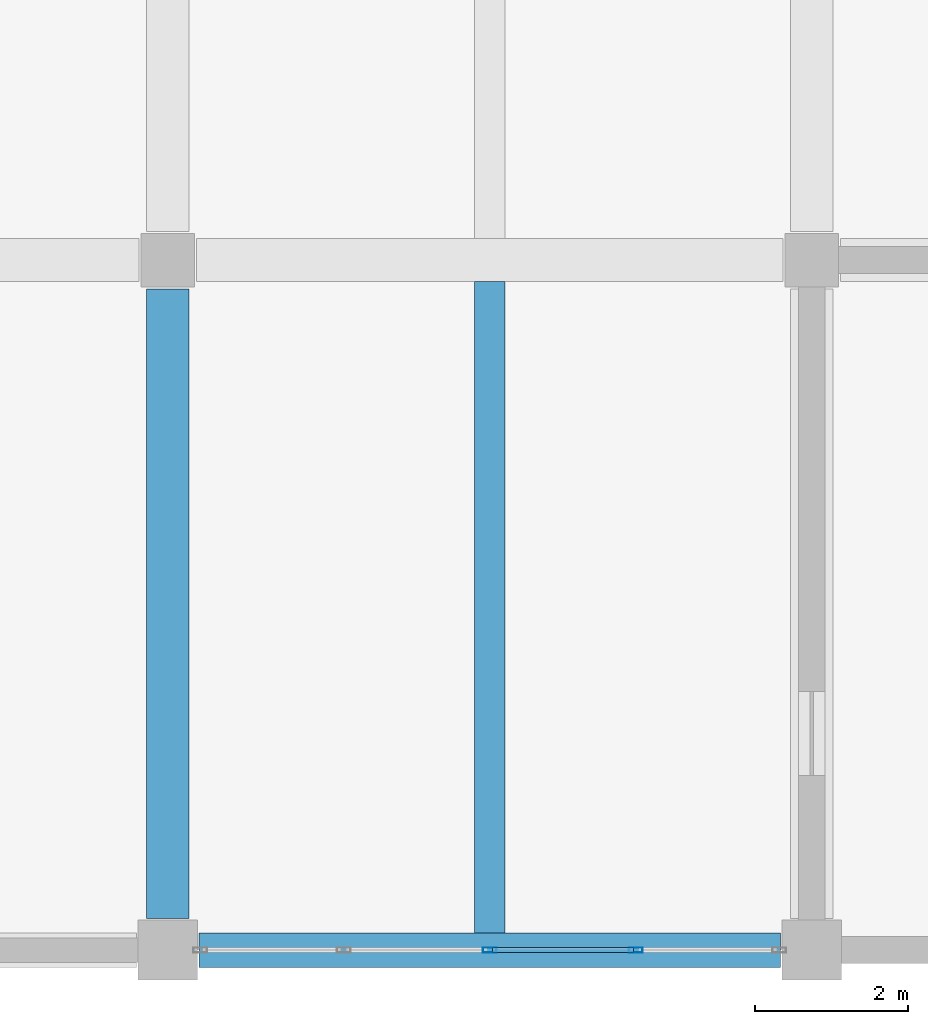
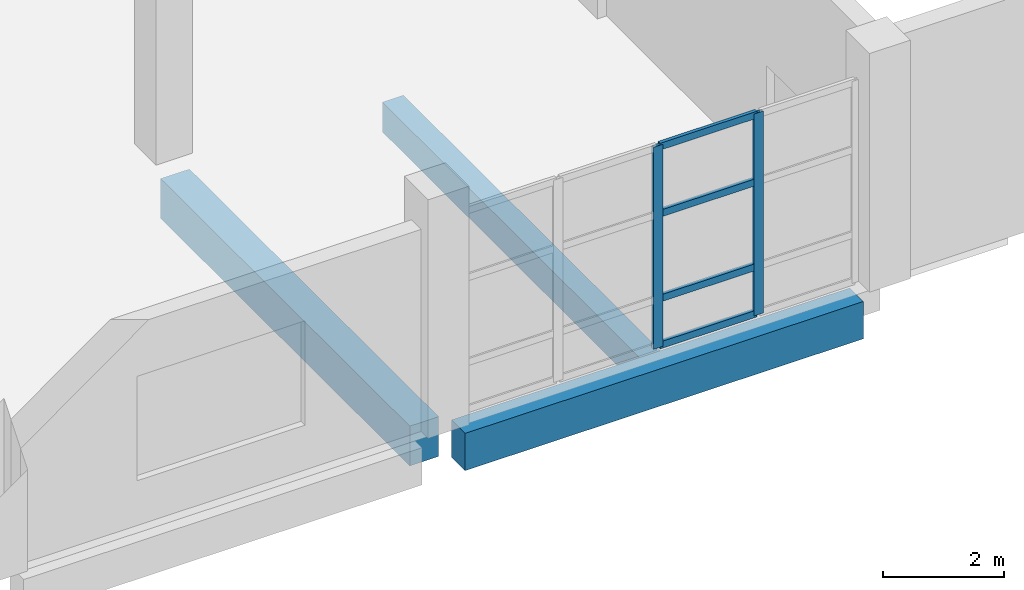
# One storey, part 7 of 91: 6 members, 3 beams, 1 element without a shape of its own.
"""IFC4 building model written with IfcOpenShell, lengths in metres."""

from ifc_helpers import new_model, si_unit, direction, frame, origin, origin_2d, place, context, subcontext, project, spatial, rectangle, hollow_rectangle, extrude, material, material_profile, profile_set, type_object, element, aggregate, save


model = new_model("IFC4")

# Units and contexts
model_context = context("Model", 3, precision=1e-05, world=origin(), true_north=direction((0.0, 1.0)))
body_context = subcontext(model_context, "Body", "Model", "MODEL_VIEW")
ifc_project = project(units=[si_unit("LENGTHUNIT", "METRE"), si_unit("AREAUNIT", "SQUARE_METRE"), si_unit("VOLUMEUNIT", "CUBIC_METRE"), si_unit("PLANEANGLEUNIT", "RADIAN"), si_unit("MASSUNIT", "GRAM", prefix="KILO")], contexts=[model_context])

# Site, building, storey
site_placement = place(None, origin())
site = spatial("IfcSite", under=ifc_project, at=site_placement, CompositionType="ELEMENT")
building_placement = place(site_placement, origin())
building = spatial("IfcBuilding", under=site, at=building_placement, Name="Pellamere Symphony Hall", CompositionType="ELEMENT")
storey_placement = place(building_placement, frame((0.0, 0.0, 5.39990234375)))
storey = spatial("IfcBuildingStorey", under=building, at=storey_placement, Name="L01", CompositionType="ELEMENT", Elevation=5.39990234375)

# Curtain wall, members
ifc_material_1 = material(Name="Thermally Broken Anodised Aluminium 6063-T6 Curtain Wall", Category="aluminium")
curtain_wall_type = type_object("IfcCurtainWallType", Name="Curtain Wall CW-04 (Chamber Music Lobby Curtain Wall)", PredefinedType="NOTDEFINED", material=ifc_material_1)
curtain_wall_placement = place(storey_placement, origin())
curtain_wall = element("IfcCurtainWall", 1, at=curtain_wall_placement, inside=storey, type_object=curtain_wall_type, Name="Chamber Lobby South Curtain Wall (L01 Bay 2)", PredefinedType="NOTDEFINED")
ifc_material_2 = material(Name="Anodised Architectural Aluminium 6063-T6", Category="aluminium")
ifc_material_profile_1 = material_profile(ifc_material_2, hollow_rectangle(XDim=0.06494140625, YDim=0.179931640625, WallThickness=0.00390625, at=origin_2d()), Name="ALU-M65X180X4")
ifc_profile_set_1 = profile_set([ifc_material_profile_1], Name="Anodised Architectural Aluminium 6063-T6")
member_type_1 = type_object("IfcMemberType", Name="Curtain Wall Mullion ML-02 ALU-M65X180X4", PredefinedType="MULLION", material=ifc_profile_set_1)
member_1_placement = place(storey_placement, frame((29.39990234375, 0.0, 0.0), z_axis=(0.0, 0.0, 1.0), x_axis=(0.0, 1.0, 0.0)))
member_1 = element("IfcMember", 2, at=member_1_placement, type_object=member_type_1, Name="CW4-115 crystal mullion 3", PredefinedType="MULLION", context=body_context, shape_type="SweptSolid", body=[
    extrude(hollow_rectangle(XDim=0.06494140625, YDim=0.179931640625, WallThickness=0.00390625, at=origin_2d()), origin(), (0.0, 0.0, 1.0), 4.064208984375),
])
member_2_placement = place(storey_placement, frame((31.304931640625, 0.0, 0.0), z_axis=(0.0, 0.0, 1.0), x_axis=(0.0, 1.0, 0.0)))
member_2 = element("IfcMember", 3, at=member_2_placement, type_object=member_type_1, Name="CW4-115 crystal mullion 4", PredefinedType="MULLION", context=body_context, shape_type="SweptSolid", body=[
    extrude(hollow_rectangle(XDim=0.06494140625, YDim=0.179931640625, WallThickness=0.00390625, at=origin_2d()), origin(), (0.0, 0.0, 1.0), 4.064208984375),
])
ifc_material_profile_2 = material_profile(ifc_material_2, hollow_rectangle(XDim=0.06494140625, YDim=0.139892578125, WallThickness=0.00390625, at=origin_2d()), Name="ALU-T65X140X4")
ifc_profile_set_2 = profile_set([ifc_material_profile_2], Name="Anodised Architectural Aluminium 6063-T6")
member_type_2 = type_object("IfcMemberType", Name="Curtain Wall Transom TR-02 ALU-T65X140X4", PredefinedType="USERDEFINED", material=ifc_profile_set_2)
member_3_placement = place(storey_placement, frame((29.4326171875, 0.0, 0.03271484375), z_axis=(1.0, 0.0, 0.0), x_axis=(0.0, 1.0, 0.0)))
member_3 = element("IfcMember", 4, at=member_3_placement, type_object=member_type_2, Name="CW4-115 crystal transom 3.1", ObjectType="TRANSOM", PredefinedType="USERDEFINED", context=body_context, shape_type="SweptSolid", body=[
    extrude(hollow_rectangle(XDim=0.06494140625, YDim=0.139892578125, WallThickness=0.00390625, at=origin_2d()), origin(), (0.0, 0.0, 1.0), 1.83984375),
])
member_4_placement = place(storey_placement, frame((29.4326171875, 0.0, 0.975341796875), z_axis=(1.0, 0.0, 0.0), x_axis=(0.0, 1.0, 0.0)))
member_4 = element("IfcMember", 5, at=member_4_placement, type_object=member_type_2, Name="CW4-115 crystal transom 3.2", ObjectType="TRANSOM", PredefinedType="USERDEFINED", context=body_context, shape_type="SweptSolid", body=[
    extrude(hollow_rectangle(XDim=0.06494140625, YDim=0.139892578125, WallThickness=0.00390625, at=origin_2d()), origin(), (0.0, 0.0, 1.0), 1.83984375),
])
member_5_placement = place(storey_placement, frame((29.4326171875, 0.0, 2.682373046875), z_axis=(1.0, 0.0, 0.0), x_axis=(0.0, 1.0, 0.0)))
member_5 = element("IfcMember", 6, at=member_5_placement, type_object=member_type_2, Name="CW4-115 crystal transom 3.3", ObjectType="TRANSOM", PredefinedType="USERDEFINED", context=body_context, shape_type="SweptSolid", body=[
    extrude(hollow_rectangle(XDim=0.06494140625, YDim=0.139892578125, WallThickness=0.00390625, at=origin_2d()), origin(), (0.0, 0.0, 1.0), 1.83984375),
])
member_6_placement = place(storey_placement, frame((29.4326171875, 0.0, 4.031494140625), z_axis=(1.0, 0.0, 0.0), x_axis=(0.0, 1.0, 0.0)))
member_6 = element("IfcMember", 7, at=member_6_placement, type_object=member_type_2, Name="CW4-115 crystal transom 3.4", ObjectType="TRANSOM", PredefinedType="USERDEFINED", context=body_context, shape_type="SweptSolid", body=[
    extrude(hollow_rectangle(XDim=0.06494140625, YDim=0.139892578125, WallThickness=0.00390625, at=origin_2d()), origin(), (0.0, 0.0, 1.0), 1.83984375),
])
aggregate(curtain_wall, [member_1, member_2, member_3, member_4, member_5, member_6])

# Beams
ifc_material_3 = material(Name="Concrete 40 MPa", Category="concrete")
ifc_material_profile_3 = material_profile(ifc_material_3, rectangle(XDim=0.550048828125, YDim=0.800048828125, at=origin_2d()), Name="RC 550x800")
ifc_profile_set_3 = profile_set([ifc_material_profile_3], Name="Concrete 40 MPa")
beam_type_1 = type_object("IfcBeamType", Name="RC CB-05 550x800", PredefinedType="BEAM", material=ifc_profile_set_3)
beam_1_placement = place(storey_placement, frame((25.199951171875, 0.409912109375, -0.679931640625), z_axis=(0.0, 1.0, 0.0), x_axis=(-1.0, 0.0, 0.0)))
element("IfcBeam", 8, at=beam_1_placement, inside=storey, type_object=beam_type_1, Name="Girder CB-05-Y0730 (L01)", PredefinedType="BEAM", context=body_context, shape_type="SweptSolid", body=[
    extrude(rectangle(XDim=0.550048828125, YDim=0.800048828125, at=origin_2d()), origin(), (0.0, 0.0, 1.0), 8.215087890625),
])
ifc_material_profile_4 = material_profile(ifc_material_3, rectangle(XDim=0.39990234375, YDim=0.60009765625, at=origin_2d()), Name="RC 400x600")
ifc_profile_set_4 = profile_set([ifc_material_profile_4], Name="Concrete 40 MPa")
beam_type_2 = type_object("IfcBeamType", Name="RC CB-09 400x600", PredefinedType="BEAM", material=ifc_profile_set_4)
beam_2_placement = place(storey_placement, frame((29.39990234375, 0.22509765625, -0.594970703125), z_axis=(0.0, 1.0, 0.0), x_axis=(-1.0, 0.0, 0.0)))
element("IfcBeam", 9, at=beam_2_placement, inside=storey, type_object=beam_type_2, Name="Secondary Floor Beam CB-09-M0300 (L01)", PredefinedType="BEAM", context=body_context, shape_type="SweptSolid", body=[
    extrude(rectangle(XDim=0.39990234375, YDim=0.60009765625, at=origin_2d()), origin(), (0.0, 0.0, 1.0), 8.494873046875),
])
ifc_material_profile_5 = material_profile(ifc_material_3, rectangle(XDim=0.449951171875, YDim=0.75, at=origin_2d()), Name="RC 450x750")
ifc_profile_set_5 = profile_set([ifc_material_profile_5], Name="Concrete 40 MPa")
beam_type_3 = type_object("IfcBeamType", Name="RC CB-12 450x750", PredefinedType="SPANDREL", material=ifc_profile_set_5)
beam_3_placement = place(storey_placement, frame((25.610107421875, 0.0, -0.65478515625), z_axis=(1.0, 0.0, 0.0), x_axis=(0.0, 1.0, 0.0)))
element("IfcBeam", 10, at=beam_3_placement, inside=storey, type_object=beam_type_3, Name="Girder CB-12-X0536 (L01)", PredefinedType="SPANDREL", context=body_context, shape_type="SweptSolid", body=[
    extrude(rectangle(XDim=0.449951171875, YDim=0.75, at=origin_2d()), origin(), (0.0, 0.0, 1.0), 7.579833984375),
])

save(model, "model.ifc")
